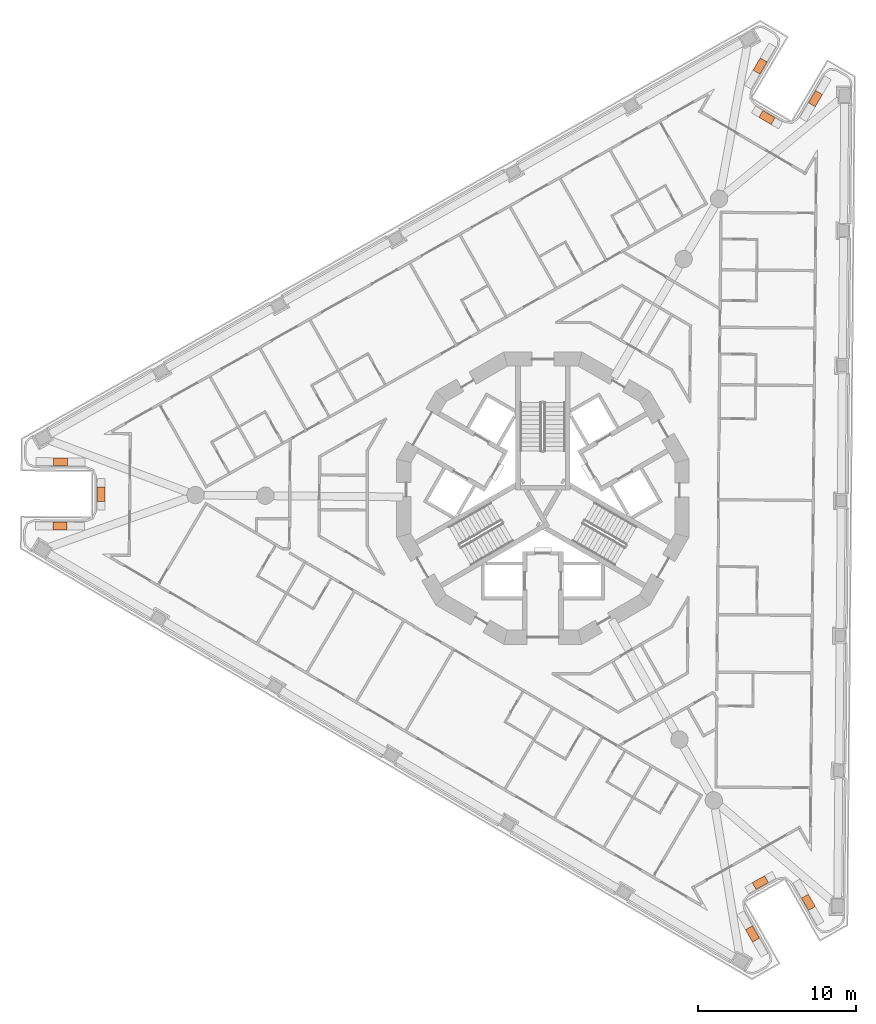
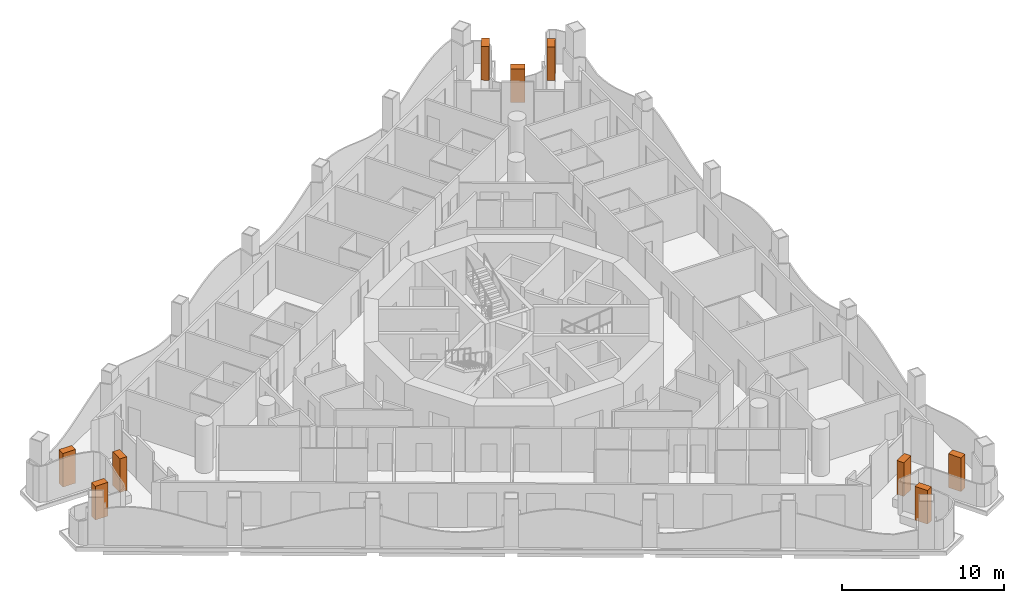
# One storey, part 17 of 17: 9 geographic elements.
"""IFC4 building model written with IfcOpenShell, lengths in metres."""

from ifc_helpers import new_model, si_unit, direction, frame, origin, origin_2d, place, context, subcontext, project, spatial, rectangle, extrude, element, save


model = new_model("IFC4")

# Units and contexts
model_context = context("Model", 3, precision=1e-05, world=origin(), true_north=direction((0.0, 1.0)))
body_context = subcontext(model_context, "Body", "Model", "MODEL_VIEW")
ifc_project = project(units=[si_unit("LENGTHUNIT", "METRE"), si_unit("AREAUNIT", "SQUARE_METRE"), si_unit("VOLUMEUNIT", "CUBIC_METRE"), si_unit("PLANEANGLEUNIT", "RADIAN"), si_unit("MASSUNIT", "GRAM", prefix="KILO")], contexts=[model_context])

# Site, building, storey
site_placement = place(None, origin())
site = spatial("IfcSite", under=ifc_project, at=site_placement, CompositionType="ELEMENT")
building_placement = place(site_placement, origin())
building = spatial("IfcBuilding", under=site, at=building_placement, Name="Trine Commons Tower", CompositionType="ELEMENT")
storey_placement = place(building_placement, frame((0.0, 0.0, 179.10009765625)))
storey = spatial("IfcBuildingStorey", under=building, at=storey_placement, Name="L46", CompositionType="ELEMENT", Elevation=179.10009765625)

# Geographic elements
for number, where, z_axis, x_axis, name in (
    (1, (49.3583984375, 60.727294921875, 0.60009765625), (0.0, 0.0, 1.0), (0.999961923064, -0.008726535498, 0.0), "Tree 1.1"),
    (2, (51.966064453125, 62.74462890625, 0.60009765625), (0.0, 0.0, 1.0), (0.008726535498, 0.999961923064, 0.0), "Tree 2.1"),
    (3, (49.393798828125, 64.80712890625, 0.60009765625), (0.0, 0.0, 1.0), (-0.999961923064, 0.008726535498, 0.0), "Tree 3.1"),
    (4, (93.78564453125, 89.9228515625, 0.60009765625), (0.0, 0.0, 1.0), (-0.507539866787, -0.861628274619, 0.0), "Tree 4.1"),
    (5, (94.228759765625, 86.65576171875, 0.60009765625), (0.0, 0.0, 1.0), (0.861628274619, -0.507539866787, 0.0), "Tree 5.1"),
    (6, (97.301025390625, 87.85205078125, 0.60009765625), (0.0, 0.0, 1.0), (0.507539866787, 0.861628274619, 0.0), "Tree 6.1"),
    (7, (96.85595703125, 36.849853515625, 0.60009765625), (0.0, 0.0, 1.0), (-0.492420521986, 0.870357414817, 0.0), "Tree 7.1"),
    (8, (93.80517578125, 38.099609375, 0.60009765625), (0.0, 0.0, 1.0), (-0.870333349571, -0.492463055085, 0.0), "Tree 8.1"),
    (9, (93.304931640625, 34.8408203125, 0.60009765625), (0.0, 0.0, 1.0), (0.492420521986, -0.870357414817, 0.0), "Tree 9.1"),
):
    element("IfcGeographicElement", number, at=place(storey_placement, frame(where, z_axis=z_axis, x_axis=x_axis)), inside=storey, Name=name, ObjectType="TREE Tabebuia rosea", PredefinedType="USERDEFINED", context=body_context, shape_type="SweptSolid", body=[
        extrude(rectangle(XDim=0.89990234375, YDim=0.5, at=origin_2d()), origin(), (0.0, 0.0, 1.0), 2.550048828125),
    ])

save(model, "model.ifc")
